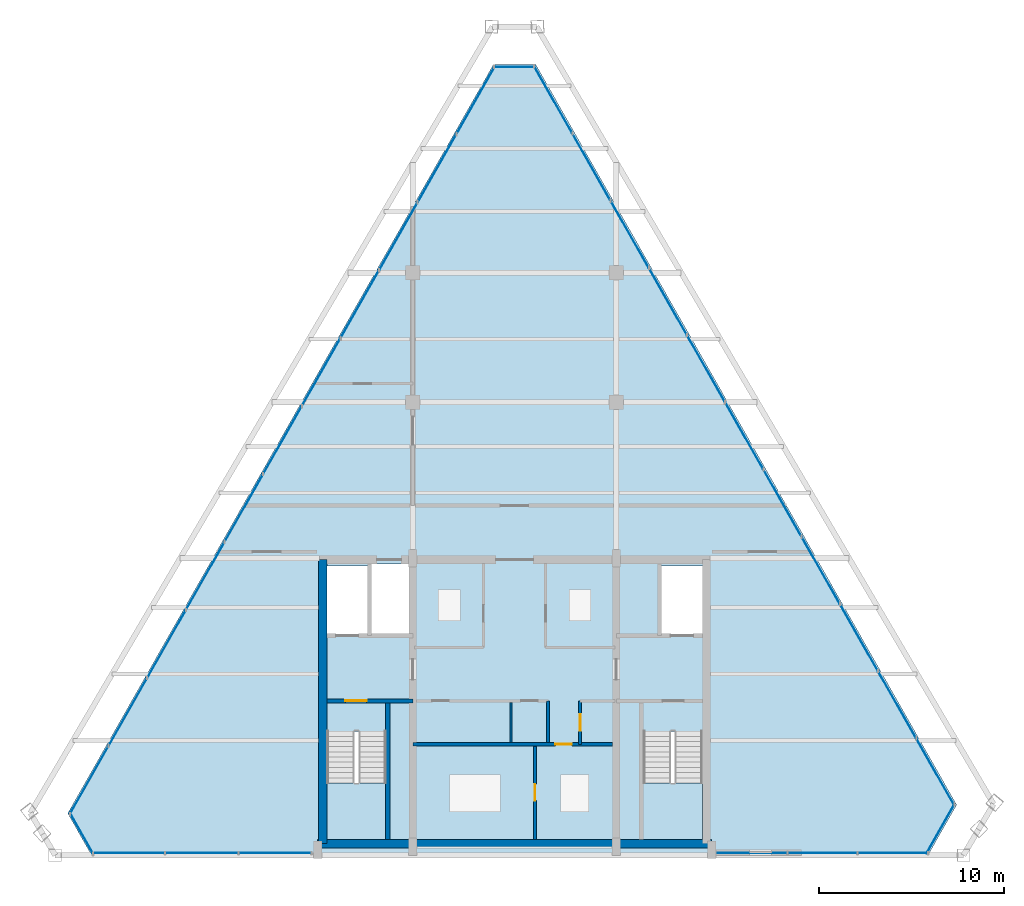
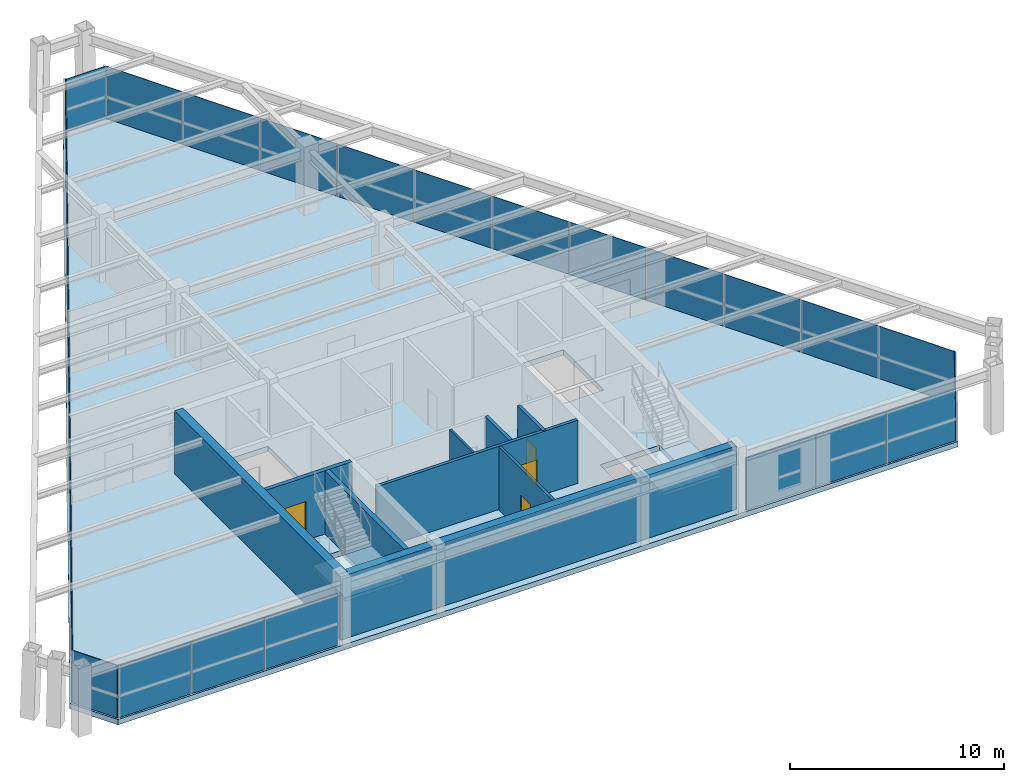
# One storey, part 9 of 12: 31 plates, 9 walls, 4 doors, 3 slabs, 4 openings, 9 elements without a shape of their own.
"""IFC4 building model written with IfcOpenShell, lengths in metres."""

from ifc_helpers import new_model, si_unit, direction, frame, frame_2d, origin, origin_2d, place, context, subcontext, project, spatial, polyline, rectangle, outline, extrude, source, transform, mapped, material, layer, layer_set, type_object, type_shapes, element, fill, aggregate, save


model = new_model("IFC4")

# Units and contexts
model_context = context("Model", 3, precision=1e-05, world=origin(), true_north=direction((0.0, 1.0)))
body_context = subcontext(model_context, "Body", "Model", "MODEL_VIEW")
ifc_project = project(units=[si_unit("LENGTHUNIT", "METRE"), si_unit("AREAUNIT", "SQUARE_METRE"), si_unit("VOLUMEUNIT", "CUBIC_METRE"), si_unit("PLANEANGLEUNIT", "RADIAN"), si_unit("MASSUNIT", "GRAM", prefix="KILO")], contexts=[model_context])

# Site, building, storey
site_placement = place(None, origin())
site = spatial("IfcSite", under=ifc_project, at=site_placement, CompositionType="ELEMENT")
building_placement = place(site_placement, origin())
building = spatial("IfcBuilding", under=site, at=building_placement, Name="Varnakhor Terracotta Tower", CompositionType="ELEMENT")
storey_placement = place(building_placement, frame((0.0, 0.0, 309.699951171875)))
storey = spatial("IfcBuildingStorey", under=building, at=storey_placement, Name="L81 Crown", CompositionType="ELEMENT", Elevation=309.699951171875)

# Stair, slab
ifc_material_1 = material(Name="Concrete C40/50", Category="concrete")
stair_type = type_object("IfcStairType", Name="STR-CORE-HOTEL-1500", PredefinedType="HALF_TURN_STAIR", material=ifc_material_1)
stair_1_placement = place(storey_placement, origin())
stair_1 = element("IfcStair", 1, at=stair_1_placement, inside=storey, type_object=stair_type, Name="L81 Crown Core Exit Stair ST-1", PredefinedType="HALF_TURN_STAIR")
ifc_layer_1 = layer(ifc_material_1, 0.179931640625, Name="Concrete C40/50")
ifc_layer_set_1 = layer_set([ifc_layer_1], Name="Concrete C40/50")
slab_type_1 = type_object("IfcSlabType", Name="SLB-LANDING-180", PredefinedType="LANDING", material=ifc_layer_set_1)
slab_1_placement = place(storey_placement, frame((0.0, 0.0, 1.75)))
slab_1 = element("IfcSlab", 2, at=slab_1_placement, type_object=slab_type_1, Name="ST-1 landing 1", PredefinedType="LANDING", context=body_context, shape_type="SweptSolid", body=[
    extrude(outline(polyline([(-10.14990234375, 3.909912109375), (-10.14990234375, 0.85009765625), (-6.949951171875, 0.85009765625), (-6.949951171875, 3.909912109375), (-10.14990234375, 3.909912109375)])), origin(), (0.0, 0.0, 1.0), 0.199951171875),
])
aggregate(stair_1, [slab_1])

stair_2_placement = place(storey_placement, origin())
stair_2 = element("IfcStair", 3, at=stair_2_placement, inside=storey, type_object=stair_type, Name="L81 Crown Core Exit Stair ST-2", PredefinedType="HALF_TURN_STAIR")
slab_2_placement = place(storey_placement, frame((0.0, 0.0, 1.75)))
slab_2 = element("IfcSlab", 4, at=slab_2_placement, type_object=slab_type_1, Name="ST-2 landing 1", PredefinedType="LANDING", context=body_context, shape_type="SweptSolid", body=[
    extrude(outline(polyline([(6.949951171875, 3.909912109375), (6.949951171875, 0.85009765625), (10.14990234375, 0.85009765625), (10.14990234375, 3.909912109375), (6.949951171875, 3.909912109375)])), origin(), (0.0, 0.0, 1.0), 0.199951171875),
])
aggregate(stair_2, [slab_2])

# Slab
ifc_layer_2 = layer(ifc_material_1, 0.300048828125, Name="Concrete C40/50")
ifc_layer_set_2 = layer_set([ifc_layer_2], Name="Concrete C40/50")
slab_type_2 = type_object("IfcSlabType", Name="SLB-PLANT-300", PredefinedType="FLOOR", material=ifc_layer_set_2)
slab_3_placement = place(storey_placement, frame((0.0, 0.0, -0.300048828125)))
element("IfcSlab", 5, at=slab_3_placement, inside=storey, type_object=slab_type_2, Name="L81 Crown Structural Floor Slab", PredefinedType="FLOOR", context=body_context, shape_type="SweptSolid", body=[
    extrude(outline(polyline([(-1.14990234375, 42.73681640625), (1.14990234375, 42.73681640625), (23.89599609375, 2.7255859375), (22.3466796875, 0.0), (-22.869873046875, 0.0), (-24.15771484375, 2.265380859375), (-1.14990234375, 42.73681640625)]), holes=[polyline([(-6.949951171875, 6.695068359375), (-10.14990234375, 6.695068359375), (-10.14990234375, 0.85009765625), (-6.949951171875, 0.85009765625), (-6.949951171875, 6.695068359375)]), polyline([(10.14990234375, 6.695068359375), (6.949951171875, 6.695068359375), (6.949951171875, 0.85009765625), (10.14990234375, 0.85009765625), (10.14990234375, 6.695068359375)]), polyline([(-7.949951171875, 15.64990234375), (-10.14990234375, 15.64990234375), (-10.14990234375, 11.8798828125), (-7.949951171875, 11.8798828125), (-7.949951171875, 15.64990234375)]), polyline([(10.14990234375, 11.8798828125), (10.14990234375, 15.64990234375), (7.949951171875, 15.64990234375), (7.949951171875, 11.8798828125), (10.14990234375, 11.8798828125)]), polyline([(-5.699951171875, 11.8798828125), (-5.699951171875, 15.75), (-7.72998046875, 15.75), (-7.72998046875, 11.8798828125), (-5.699951171875, 11.8798828125)])]), origin(), (0.0, 0.0, 1.0), 0.300048828125),
])

# Curtain wall, plates
ifc_material_2 = material(Name="Anodised Aluminium Curtain Wall System", Category="aluminium")
curtain_wall_type = type_object("IfcCurtainWallType", Name="CW-SYS-CROWN", PredefinedType="NOTDEFINED", material=ifc_material_2)
curtain_wall_1_placement = place(storey_placement, origin())
curtain_wall_1 = element("IfcCurtainWall", 6, at=curtain_wall_1_placement, inside=storey, type_object=curtain_wall_type, Name="L81 Crown Facet Curtain Wall 1", PredefinedType="NOTDEFINED")
ifc_material_3 = material(Name="Solar-Control Low-E Insulated Glass Panel", Category="glass")
ifc_layer_3 = layer(ifc_material_3, 0.0400390625, Name="Solar-Control Low-E Insulated Glass Panel")
ifc_layer_set_3 = layer_set([ifc_layer_3], Name="Solar-Control Low-E Insulated Glass Panel")
plate_type = type_object("IfcPlateType", Name="CWP-06", PredefinedType="CURTAIN_PANEL", material=ifc_layer_set_3)
shared_shape_1 = source(origin(), body_context, "Body", "SweptSolid", [
    extrude(rectangle(XDim=4.186767578125, YDim=0.035888671875, at=origin_2d()), origin(), (0.0, 0.0, 1.0), 2.97998046875),
])
type_shapes(plate_type, [shared_shape_1])
plate_1_placement = place(storey_placement, frame((-22.994140625, 4.0693359375, 0.0), z_axis=(0.0, 0.0, 1.0), x_axis=(0.494215002093, 0.869339710186, 0.0)))
plate_1 = element("IfcPlate", 7, at=plate_1_placement, type_object=plate_type, Name="L81 Crown Facet Curtain Wall 1 Glazed Panel 1", PredefinedType="CURTAIN_PANEL", context=body_context, shape_type="MappedRepresentation", body=[
    mapped(shared_shape_1, transform((0.0, 0.0, 0.0), scale=1.0)),
])
plate_2_placement = place(storey_placement, frame((-20.905029296875, 7.743896484375, 0.0), z_axis=(0.0, 0.0, 1.0), x_axis=(0.494215002093, 0.869339710186, 0.0)))
plate_2 = element("IfcPlate", 8, at=plate_2_placement, type_object=plate_type, Name="L81 Crown Facet Curtain Wall 1 Glazed Panel 2", PredefinedType="CURTAIN_PANEL", context=body_context, shape_type="MappedRepresentation", body=[
    mapped(shared_shape_1, transform((0.0, 0.0, 0.0), scale=1.0)),
])
plate_3_placement = place(storey_placement, frame((-18.81640625, 11.418212890625, 0.0), z_axis=(0.0, 0.0, 1.0), x_axis=(0.494215002093, 0.869339710186, 0.0)))
plate_3 = element("IfcPlate", 9, at=plate_3_placement, type_object=plate_type, Name="L81 Crown Facet Curtain Wall 1 Glazed Panel 3", PredefinedType="CURTAIN_PANEL", context=body_context, shape_type="MappedRepresentation", body=[
    mapped(shared_shape_1, transform((0.0, 0.0, 0.0), scale=1.0)),
])
plate_4_placement = place(storey_placement, frame((-16.727294921875, 15.0927734375, 0.0), z_axis=(0.0, 0.0, 1.0), x_axis=(0.494215002093, 0.869339710186, 0.0)))
plate_4 = element("IfcPlate", 10, at=plate_4_placement, type_object=plate_type, Name="L81 Crown Facet Curtain Wall 1 Glazed Panel 4", PredefinedType="CURTAIN_PANEL", context=body_context, shape_type="MappedRepresentation", body=[
    mapped(shared_shape_1, transform((0.0, 0.0, 0.0), scale=1.0)),
])
plate_5_placement = place(storey_placement, frame((-14.63818359375, 18.767333984375, 0.0), z_axis=(0.0, 0.0, 1.0), x_axis=(0.494215002093, 0.869339710186, 0.0)))
plate_5 = element("IfcPlate", 11, at=plate_5_placement, type_object=plate_type, Name="L81 Crown Facet Curtain Wall 1 Glazed Panel 5", PredefinedType="CURTAIN_PANEL", context=body_context, shape_type="MappedRepresentation", body=[
    mapped(shared_shape_1, transform((0.0, 0.0, 0.0), scale=1.0)),
])
plate_6_placement = place(storey_placement, frame((-12.549560546875, 22.441650390625, 0.0), z_axis=(0.0, 0.0, 1.0), x_axis=(0.494215002093, 0.869339710186, 0.0)))
plate_6 = element("IfcPlate", 12, at=plate_6_placement, type_object=plate_type, Name="L81 Crown Facet Curtain Wall 1 Glazed Panel 6", PredefinedType="CURTAIN_PANEL", context=body_context, shape_type="MappedRepresentation", body=[
    mapped(shared_shape_1, transform((0.0, 0.0, 0.0), scale=1.0)),
])
plate_7_placement = place(storey_placement, frame((-10.46044921875, 26.1162109375, 0.0), z_axis=(0.0, 0.0, 1.0), x_axis=(0.494215002093, 0.869339710186, 0.0)))
plate_7 = element("IfcPlate", 13, at=plate_7_placement, type_object=plate_type, Name="L81 Crown Facet Curtain Wall 1 Glazed Panel 7", PredefinedType="CURTAIN_PANEL", context=body_context, shape_type="MappedRepresentation", body=[
    mapped(shared_shape_1, transform((0.0, 0.0, 0.0), scale=1.0)),
])
plate_8_placement = place(storey_placement, frame((-8.37158203125, 29.790771484375, 0.0), z_axis=(0.0, 0.0, 1.0), x_axis=(0.494215002093, 0.869339710186, 0.0)))
plate_8 = element("IfcPlate", 14, at=plate_8_placement, type_object=plate_type, Name="L81 Crown Facet Curtain Wall 1 Glazed Panel 8", PredefinedType="CURTAIN_PANEL", context=body_context, shape_type="MappedRepresentation", body=[
    mapped(shared_shape_1, transform((0.0, 0.0, 0.0), scale=1.0)),
])
plate_9_placement = place(storey_placement, frame((-6.28271484375, 33.465087890625, 0.0), z_axis=(0.0, 0.0, 1.0), x_axis=(0.494215002093, 0.869339710186, 0.0)))
plate_9 = element("IfcPlate", 15, at=plate_9_placement, type_object=plate_type, Name="L81 Crown Facet Curtain Wall 1 Glazed Panel 9", PredefinedType="CURTAIN_PANEL", context=body_context, shape_type="MappedRepresentation", body=[
    mapped(shared_shape_1, transform((0.0, 0.0, 0.0), scale=1.0)),
])
plate_10_placement = place(storey_placement, frame((-4.193603515625, 37.1396484375, 0.0), z_axis=(0.0, 0.0, 1.0), x_axis=(0.494215002093, 0.869339710186, 0.0)))
plate_10 = element("IfcPlate", 16, at=plate_10_placement, type_object=plate_type, Name="L81 Crown Facet Curtain Wall 1 Glazed Panel 10", PredefinedType="CURTAIN_PANEL", context=body_context, shape_type="MappedRepresentation", body=[
    mapped(shared_shape_1, transform((0.0, 0.0, 0.0), scale=1.0)),
])
plate_11_placement = place(storey_placement, frame((-2.104736328125, 40.814208984375, 0.0), z_axis=(0.0, 0.0, 1.0), x_axis=(0.494215002093, 0.869339710186, 0.0)))
plate_11 = element("IfcPlate", 17, at=plate_11_placement, type_object=plate_type, Name="L81 Crown Facet Curtain Wall 1 Glazed Panel 11", PredefinedType="CURTAIN_PANEL", context=body_context, shape_type="MappedRepresentation", body=[
    mapped(shared_shape_1, transform((0.0, 0.0, 0.0), scale=1.0)),
])
aggregate(curtain_wall_1, [plate_1, plate_2, plate_3, plate_4, plate_5, plate_6, plate_7, plate_8, plate_9, plate_10, plate_11])

# Curtain wall, plate
curtain_wall_2_placement = place(storey_placement, origin())
curtain_wall_2 = element("IfcCurtainWall", 18, at=curtain_wall_2_placement, inside=storey, type_object=curtain_wall_type, Name="L81 Crown Facet Curtain Wall 2", PredefinedType="NOTDEFINED")
shared_shape_2 = source(origin(), body_context, "Body", "SweptSolid", [
    extrude(rectangle(XDim=2.19970703125, YDim=0.035888671875, at=origin_2d()), origin(), (0.0, 0.0, 1.0), 2.97998046875),
])
plate_12_placement = place(storey_placement, frame((0.0, 42.61669921875, 0.0), z_axis=(0.0, 0.0, 1.0), x_axis=(1.0, 0.0, 0.0)))
plate_12 = element("IfcPlate", 19, at=plate_12_placement, type_object=plate_type, Name="L81 Crown Facet Curtain Wall 2 Glazed Panel 1", PredefinedType="CURTAIN_PANEL", context=body_context, shape_type="MappedRepresentation", body=[
    mapped(shared_shape_2, transform((0.0, 0.0, 0.0), scale=1.0)),
])
aggregate(curtain_wall_2, [plate_12])

# Curtain wall, plates
curtain_wall_3_placement = place(storey_placement, origin())
curtain_wall_3 = element("IfcCurtainWall", 20, at=curtain_wall_3_placement, inside=storey, type_object=curtain_wall_type, Name="L81 Crown Facet Curtain Wall 3", PredefinedType="NOTDEFINED")
shared_shape_3 = source(origin(), body_context, "Body", "SweptSolid", [
    extrude(rectangle(XDim=4.138671875, YDim=0.035888671875, at=origin_2d()), origin(), (0.0, 0.0, 1.0), 2.97998046875),
])
plate_13_placement = place(storey_placement, frame((2.093017578125, 40.835205078125, 0.0), z_axis=(0.0, 0.0, 1.0), x_axis=(0.494215002093, -0.869339710186, 0.0)))
plate_13 = element("IfcPlate", 21, at=plate_13_placement, type_object=plate_type, Name="L81 Crown Facet Curtain Wall 3 Glazed Panel 1", PredefinedType="CURTAIN_PANEL", context=body_context, shape_type="MappedRepresentation", body=[
    mapped(shared_shape_3, transform((0.0, 0.0, 0.0), scale=1.0)),
])
plate_14_placement = place(storey_placement, frame((4.158203125, 37.202392578125, 0.0), z_axis=(0.0, 0.0, 1.0), x_axis=(0.494215002093, -0.869339710186, 0.0)))
plate_14 = element("IfcPlate", 22, at=plate_14_placement, type_object=plate_type, Name="L81 Crown Facet Curtain Wall 3 Glazed Panel 2", PredefinedType="CURTAIN_PANEL", context=body_context, shape_type="MappedRepresentation", body=[
    mapped(shared_shape_3, transform((0.0, 0.0, 0.0), scale=1.0)),
])
plate_15_placement = place(storey_placement, frame((6.22314453125, 33.56982421875, 0.0), z_axis=(0.0, 0.0, 1.0), x_axis=(0.494215002093, -0.869339710186, 0.0)))
plate_15 = element("IfcPlate", 23, at=plate_15_placement, type_object=plate_type, Name="L81 Crown Facet Curtain Wall 3 Glazed Panel 3", PredefinedType="CURTAIN_PANEL", context=body_context, shape_type="MappedRepresentation", body=[
    mapped(shared_shape_3, transform((0.0, 0.0, 0.0), scale=1.0)),
])
plate_16_placement = place(storey_placement, frame((8.288330078125, 29.93701171875, 0.0), z_axis=(0.0, 0.0, 1.0), x_axis=(0.494215002093, -0.869339710186, 0.0)))
plate_16 = element("IfcPlate", 24, at=plate_16_placement, type_object=plate_type, Name="L81 Crown Facet Curtain Wall 3 Glazed Panel 4", PredefinedType="CURTAIN_PANEL", context=body_context, shape_type="MappedRepresentation", body=[
    mapped(shared_shape_3, transform((0.0, 0.0, 0.0), scale=1.0)),
])
plate_17_placement = place(storey_placement, frame((10.353515625, 26.304443359375, 0.0), z_axis=(0.0, 0.0, 1.0), x_axis=(0.494215002093, -0.869339710186, 0.0)))
plate_17 = element("IfcPlate", 25, at=plate_17_placement, type_object=plate_type, Name="L81 Crown Facet Curtain Wall 3 Glazed Panel 5", PredefinedType="CURTAIN_PANEL", context=body_context, shape_type="MappedRepresentation", body=[
    mapped(shared_shape_3, transform((0.0, 0.0, 0.0), scale=1.0)),
])
plate_18_placement = place(storey_placement, frame((12.418701171875, 22.671875, 0.0), z_axis=(0.0, 0.0, 1.0), x_axis=(0.494215002093, -0.869339710186, 0.0)))
plate_18 = element("IfcPlate", 26, at=plate_18_placement, type_object=plate_type, Name="L81 Crown Facet Curtain Wall 3 Glazed Panel 6", PredefinedType="CURTAIN_PANEL", context=body_context, shape_type="MappedRepresentation", body=[
    mapped(shared_shape_3, transform((0.0, 0.0, 0.0), scale=1.0)),
])
plate_19_placement = place(storey_placement, frame((14.48388671875, 19.039306640625, 0.0), z_axis=(0.0, 0.0, 1.0), x_axis=(0.494215002093, -0.869339710186, 0.0)))
plate_19 = element("IfcPlate", 27, at=plate_19_placement, type_object=plate_type, Name="L81 Crown Facet Curtain Wall 3 Glazed Panel 7", PredefinedType="CURTAIN_PANEL", context=body_context, shape_type="MappedRepresentation", body=[
    mapped(shared_shape_3, transform((0.0, 0.0, 0.0), scale=1.0)),
])
plate_20_placement = place(storey_placement, frame((16.548828125, 15.406494140625, 0.0), z_axis=(0.0, 0.0, 1.0), x_axis=(0.494215002093, -0.869339710186, 0.0)))
plate_20 = element("IfcPlate", 28, at=plate_20_placement, type_object=plate_type, Name="L81 Crown Facet Curtain Wall 3 Glazed Panel 8", PredefinedType="CURTAIN_PANEL", context=body_context, shape_type="MappedRepresentation", body=[
    mapped(shared_shape_3, transform((0.0, 0.0, 0.0), scale=1.0)),
])
plate_21_placement = place(storey_placement, frame((18.614013671875, 11.77392578125, 0.0), z_axis=(0.0, 0.0, 1.0), x_axis=(0.494215002093, -0.869339710186, 0.0)))
plate_21 = element("IfcPlate", 29, at=plate_21_placement, type_object=plate_type, Name="L81 Crown Facet Curtain Wall 3 Glazed Panel 9", PredefinedType="CURTAIN_PANEL", context=body_context, shape_type="MappedRepresentation", body=[
    mapped(shared_shape_3, transform((0.0, 0.0, 0.0), scale=1.0)),
])
plate_22_placement = place(storey_placement, frame((20.67919921875, 8.14111328125, 0.0), z_axis=(0.0, 0.0, 1.0), x_axis=(0.494215002093, -0.869339710186, 0.0)))
plate_22 = element("IfcPlate", 30, at=plate_22_placement, type_object=plate_type, Name="L81 Crown Facet Curtain Wall 3 Glazed Panel 10", PredefinedType="CURTAIN_PANEL", context=body_context, shape_type="MappedRepresentation", body=[
    mapped(shared_shape_3, transform((0.0, 0.0, 0.0), scale=1.0)),
])
plate_23_placement = place(storey_placement, frame((22.744384765625, 4.508544921875, 0.0), z_axis=(0.0, 0.0, 1.0), x_axis=(0.494215002093, -0.869339710186, 0.0)))
plate_23 = element("IfcPlate", 31, at=plate_23_placement, type_object=plate_type, Name="L81 Crown Facet Curtain Wall 3 Glazed Panel 11", PredefinedType="CURTAIN_PANEL", context=body_context, shape_type="MappedRepresentation", body=[
    mapped(shared_shape_3, transform((0.0, 0.0, 0.0), scale=1.0)),
])
aggregate(curtain_wall_3, [plate_13, plate_14, plate_15, plate_16, plate_17, plate_18, plate_19, plate_20, plate_21, plate_22, plate_23])

# Curtain wall, plate
curtain_wall_4_placement = place(storey_placement, origin())
curtain_wall_4 = element("IfcCurtainWall", 32, at=curtain_wall_4_placement, inside=storey, type_object=curtain_wall_type, Name="L81 Crown Facet Curtain Wall 4", PredefinedType="NOTDEFINED")
shared_shape_4 = source(origin(), body_context, "Body", "SweptSolid", [
    extrude(rectangle(XDim=3.03515625, YDim=0.035888671875, at=origin_2d()), origin(), (0.0, 0.0, 1.0), 2.97998046875),
])
plate_24_placement = place(storey_placement, frame((23.01708984375, 1.422119140625, 0.0), z_axis=(0.0, 0.0, 1.0), x_axis=(-0.494230174858, -0.869331084375, 0.0)))
plate_24 = element("IfcPlate", 33, at=plate_24_placement, type_object=plate_type, Name="L81 Crown Facet Curtain Wall 4 Glazed Panel 1", PredefinedType="CURTAIN_PANEL", context=body_context, shape_type="MappedRepresentation", body=[
    mapped(shared_shape_4, transform((0.0, 0.0, 0.0), scale=1.0)),
])
aggregate(curtain_wall_4, [plate_24])

# Curtain wall, plates
curtain_wall_5_placement = place(storey_placement, origin())
curtain_wall_5 = element("IfcCurtainWall", 34, at=curtain_wall_5_placement, inside=storey, type_object=curtain_wall_type, Name="L81 Crown South Wing Curtain Wall SSE", PredefinedType="NOTDEFINED")
shared_shape_5 = source(origin(), body_context, "Body", "SweptSolid", [
    extrude(rectangle(XDim=3.748779296875, YDim=0.035888671875, at=origin_2d()), origin(), (0.0, 0.0, 1.0), 2.97998046875),
])
plate_25_placement = place(storey_placement, frame((20.442138671875, 0.1201171875, 0.0), z_axis=(0.0, 0.0, 1.0), x_axis=(-1.0, 0.0, 0.0)))
plate_25 = element("IfcPlate", 35, at=plate_25_placement, type_object=plate_type, Name="L81 Crown South Wing Curtain Wall SSE Glazed Panel 1", PredefinedType="CURTAIN_PANEL", context=body_context, shape_type="MappedRepresentation", body=[
    mapped(shared_shape_5, transform((0.0, 0.0, 0.0), scale=1.0)),
])
plate_26_placement = place(storey_placement, frame((16.6533203125, 0.1201171875, 0.0), z_axis=(0.0, 0.0, 1.0), x_axis=(-1.0, 0.0, 0.0)))
plate_26 = element("IfcPlate", 36, at=plate_26_placement, type_object=plate_type, Name="L81 Crown South Wing Curtain Wall SSE Glazed Panel 2", PredefinedType="CURTAIN_PANEL", context=body_context, shape_type="MappedRepresentation", body=[
    mapped(shared_shape_5, transform((0.0, 0.0, 0.0), scale=1.0)),
])
plate_27_placement = place(storey_placement, frame((12.864501953125, 0.1201171875, 0.0), z_axis=(0.0, 0.0, 1.0), x_axis=(-1.0, 0.0, 0.0)))
plate_27 = element("IfcPlate", 37, at=plate_27_placement, type_object=plate_type, Name="L81 Crown South Wing Curtain Wall SSE Glazed Panel 3", PredefinedType="CURTAIN_PANEL", context=body_context, shape_type="MappedRepresentation", body=[
    mapped(shared_shape_5, transform((0.0, 0.0, 0.0), scale=1.0)),
])
aggregate(curtain_wall_5, [plate_25, plate_26, plate_27])

curtain_wall_6_placement = place(storey_placement, origin())
curtain_wall_6 = element("IfcCurtainWall", 38, at=curtain_wall_6_placement, inside=storey, type_object=curtain_wall_type, Name="L81 Crown South Wing Curtain Wall SSW", PredefinedType="NOTDEFINED")
shared_shape_6 = source(origin(), body_context, "Body", "SweptSolid", [
    extrude(rectangle(XDim=3.92333984375, YDim=0.035888671875, at=origin_2d()), origin(), (0.0, 0.0, 1.0), 2.97998046875),
])
plate_28_placement = place(storey_placement, frame((-12.95166015625, 0.1201171875, 0.0), z_axis=(0.0, 0.0, 1.0), x_axis=(-1.0, 0.0, 0.0)))
plate_28 = element("IfcPlate", 39, at=plate_28_placement, type_object=plate_type, Name="L81 Crown South Wing Curtain Wall SSW Glazed Panel 1", PredefinedType="CURTAIN_PANEL", context=body_context, shape_type="MappedRepresentation", body=[
    mapped(shared_shape_6, transform((0.0, 0.0, 0.0), scale=1.0)),
])
plate_29_placement = place(storey_placement, frame((-16.914794921875, 0.1201171875, 0.0), z_axis=(0.0, 0.0, 1.0), x_axis=(-1.0, 0.0, 0.0)))
plate_29 = element("IfcPlate", 40, at=plate_29_placement, type_object=plate_type, Name="L81 Crown South Wing Curtain Wall SSW Glazed Panel 2", PredefinedType="CURTAIN_PANEL", context=body_context, shape_type="MappedRepresentation", body=[
    mapped(shared_shape_6, transform((0.0, 0.0, 0.0), scale=1.0)),
])
plate_30_placement = place(storey_placement, frame((-20.87841796875, 0.1201171875, 0.0), z_axis=(0.0, 0.0, 1.0), x_axis=(-1.0, 0.0, 0.0)))
plate_30 = element("IfcPlate", 41, at=plate_30_placement, type_object=plate_type, Name="L81 Crown South Wing Curtain Wall SSW Glazed Panel 3", PredefinedType="CURTAIN_PANEL", context=body_context, shape_type="MappedRepresentation", body=[
    mapped(shared_shape_6, transform((0.0, 0.0, 0.0), scale=1.0)),
])
aggregate(curtain_wall_6, [plate_28, plate_29, plate_30])

# Curtain wall, plate
curtain_wall_7_placement = place(storey_placement, origin())
curtain_wall_7 = element("IfcCurtainWall", 42, at=curtain_wall_7_placement, inside=storey, type_object=curtain_wall_type, Name="L81 Crown Facet Curtain Wall 6", PredefinedType="NOTDEFINED")
shared_shape_7 = source(origin(), body_context, "Body", "SweptSolid", [
    extrude(rectangle(XDim=2.505859375, YDim=0.035888671875, at=origin_2d()), origin(), (0.0, 0.0, 1.0), 2.97998046875),
])
plate_31_placement = place(storey_placement, frame((-23.409423828125, 1.19189453125, 0.0), z_axis=(0.0, 0.0, 1.0), x_axis=(-0.494215002093, 0.869339710186, 0.0)))
plate_31 = element("IfcPlate", 43, at=plate_31_placement, type_object=plate_type, Name="L81 Crown Facet Curtain Wall 6 Glazed Panel 1", PredefinedType="CURTAIN_PANEL", context=body_context, shape_type="MappedRepresentation", body=[
    mapped(shared_shape_7, transform((0.0, 0.0, 0.0), scale=1.0)),
])
aggregate(curtain_wall_7, [plate_31])

# Walls
ifc_material_4 = material(Name="Concrete C50/60", Category="concrete")
ifc_layer_4 = layer(ifc_material_4, 0.449951171875, Name="Concrete C50/60")
ifc_layer_set_4 = layer_set([ifc_layer_4], Name="Concrete C50/60")
wall_type_1 = type_object("IfcWallType", Name="WAL-CORE-450", PredefinedType="SHEAR", material=ifc_layer_set_4)
wall_1_placement = place(storey_placement, frame((-10.64990234375, 0.625, 0.0), z_axis=(0.0, 0.0, 1.0), x_axis=(1.0, 0.0, 0.0)))
element("IfcWall", 44, at=wall_1_placement, inside=storey, type_object=wall_type_1, Name="L81 Crown South Core Shear Wall", PredefinedType="SHEAR", context=body_context, shape_type="SweptSolid", body=[
    extrude(rectangle(XDim=21.2998046875, YDim=0.449951171875, at=frame_2d((10.64990234375, 0.0))), origin(), (0.0, 0.0, 1.0), 3.60009765625),
])
wall_2_placement = place(storey_placement, frame((-10.375, 0.625, 0.0), z_axis=(0.0, 0.0, 1.0), x_axis=(0.0, 1.0, 0.0)))
element("IfcWall", 45, at=wall_2_placement, inside=storey, type_object=wall_type_1, Name="L81 Crown West Core Shear Wall", PredefinedType="SHEAR", context=body_context, shape_type="SweptSolid", body=[
    extrude(rectangle(XDim=15.35009765625, YDim=0.449951171875, at=frame_2d((7.675048828125, 0.0))), origin(), (0.0, 0.0, 1.0), 3.60009765625),
])

# Wall, opening, door
ifc_layer_5 = layer(ifc_material_1, 0.219970703125, Name="Concrete C40/50")
ifc_layer_set_5 = layer_set([ifc_layer_5], Name="Concrete C40/50")
wall_type_2 = type_object("IfcWallType", Name="WAL-FFLOBBY-220", PredefinedType="SOLIDWALL", material=ifc_layer_set_5)
wall_3_placement = place(storey_placement, frame((-5.5, 8.35009765625, 0.0), z_axis=(0.0, 0.0, 1.0), x_axis=(-1.0, 0.0, 0.0)))
wall_3 = element("IfcWall", 46, at=wall_3_placement, inside=storey, type_object=wall_type_2, Name="L81 Crown West Firefighting Lobby Stair Wall", PredefinedType="SOLIDWALL", context=body_context, shape_type="SweptSolid", body=[
    extrude(rectangle(XDim=4.64990234375, YDim=0.219970703125, at=frame_2d((2.324951171875, 0.0))), origin(), (0.0, 0.0, 1.0), 3.60009765625),
])
opening_1_placement = place(wall_3_placement, frame((2.5, 0.0, 0.0)))
opening_1 = element("IfcOpeningElement", 47, at=opening_1_placement, cuts=wall_3, Name="Opening DR-34", PredefinedType="OPENING", context=body_context, shape_type="SweptSolid", body=[
    extrude(rectangle(XDim=1.14990234375, YDim=2.199951171875, at=frame_2d((0.574951171875, 1.10009765625))), frame((0.0, 0.1201171875, 0.0), z_axis=(0.0, -1.0, 0.0), x_axis=(1.0, 0.0, 0.0)), (0.0, 0.0, 1.0), 0.239990234375),
])
ifc_material_5 = material(Name="Self-Closing Smoke-Sealed Steel Fire Door", Category="steel")
door_type_1 = type_object("IfcDoorType", Name="DR-STAIR-1150X2200", OperationType="NOTDEFINED", PredefinedType="DOOR", material=ifc_material_5)
shared_shape_8 = source(origin(), body_context, "Body", "SweptSolid", [
    extrude(rectangle(XDim=1.14990234375, YDim=2.199951171875, at=frame_2d((0.574951171875, 1.10009765625))), frame((0.0, 0.02490234375, 0.0), z_axis=(0.0, -1.0, 0.0), x_axis=(1.0, 0.0, 0.0)), (0.0, 0.0, 1.0), 0.050048828125),
])
type_shapes(door_type_1, [shared_shape_8])
door_1_placement = place(opening_1_placement, origin())
door_1 = element("IfcDoor", 48, at=door_1_placement, inside=storey, type_object=door_type_1, Name="L81 Crown Exit Stair ST-1 Fire Door", OperationType="SINGLE_SWING_RIGHT", OverallHeight=2.199951171875, OverallWidth=1.14990234375, PredefinedType="DOOR", context=body_context, shape_type="MappedRepresentation", body=[
    mapped(shared_shape_8, transform((0.0, 0.0, 0.0), scale=1.0)),
])
fill(opening_1, door_1)

# Walls
ifc_layer_6 = layer(ifc_material_1, 0.25, Name="Concrete C40/50")
ifc_layer_set_6 = layer_set([ifc_layer_6], Name="Concrete C40/50")
wall_type_3 = type_object("IfcWallType", Name="WAL-SHAFT-250", PredefinedType="SOLIDWALL", material=ifc_layer_set_6)
wall_4_placement = place(storey_placement, frame((-6.85009765625, 0.85009765625, 0.0), z_axis=(0.0, 0.0, 1.0), x_axis=(0.0, 1.0, 0.0)))
element("IfcWall", 49, at=wall_4_placement, inside=storey, type_object=wall_type_3, Name="L81 Crown Stair ST-1 Bearing Shaft Wall", PredefinedType="SOLIDWALL", context=body_context, shape_type="SweptSolid", body=[
    extrude(rectangle(XDim=7.5, YDim=0.25, at=frame_2d((3.75, 0.0))), origin(), (0.0, 0.0, 1.0), 3.60009765625),
])
ifc_material_6 = material(Name="Acoustic Fire-Rated Partition", Category="gypsum")
ifc_layer_7 = layer(ifc_material_6, 0.114990234375, Name="Acoustic Fire-Rated Partition")
ifc_layer_set_7 = layer_set([ifc_layer_7], Name="Acoustic Fire-Rated Partition")
wall_type_4 = type_object("IfcWallType", Name="WAL-TENANCY-115", PredefinedType="PARTITIONING", material=ifc_layer_set_7)
wall_5_placement = place(storey_placement, frame((-0.199951171875, 6.10009765625, 0.0), z_axis=(0.0, 0.0, 1.0), x_axis=(0.0, 1.0, 0.0)))
element("IfcWall", 50, at=wall_5_placement, inside=storey, type_object=wall_type_4, Name="L81 Crown Reclaimed Mid-Core Split Wall", PredefinedType="PARTITIONING", context=body_context, shape_type="SweptSolid", body=[
    extrude(rectangle(XDim=2.14990234375, YDim=0.114990234375, at=frame_2d((1.074951171875, 0.0))), origin(), (0.0, 0.0, 1.0), 3.592041015625),
])

# Wall, opening, door
ifc_layer_8 = layer(ifc_material_6, 0.139892578125, Name="Acoustic Fire-Rated Partition")
ifc_layer_set_8 = layer_set([ifc_layer_8], Name="Acoustic Fire-Rated Partition")
wall_type_5 = type_object("IfcWallType", Name="WAL-TENANCY-140", PredefinedType="PARTITIONING", material=ifc_layer_set_8)
wall_6_placement = place(storey_placement, frame((1.10009765625, 0.85009765625, 0.0), z_axis=(0.0, 0.0, 1.0), x_axis=(0.0, 1.0, 0.0)))
wall_6 = element("IfcWall", 51, at=wall_6_placement, inside=storey, type_object=wall_type_5, Name="L81 Crown Reclaimed Core Bay Split Wall", PredefinedType="PARTITIONING", context=body_context, shape_type="SweptSolid", body=[
    extrude(rectangle(XDim=5.02978515625, YDim=0.139892578125, at=frame_2d((2.514892578125, 0.0))), origin(), (0.0, 0.0, 1.0), 3.592041015625),
])
opening_2_placement = place(wall_6_placement, frame((2.10009765625, 0.0, 0.0)))
opening_2 = element("IfcOpeningElement", 52, at=opening_2_placement, cuts=wall_6, Name="Opening DR-67", PredefinedType="OPENING", context=body_context, shape_type="SweptSolid", body=[
    extrude(rectangle(XDim=0.89990234375, YDim=2.10009765625, at=frame_2d((0.449951171875, 1.050048828125))), frame((0.0, 0.080078125, 0.0), z_axis=(0.0, -1.0, 0.0), x_axis=(1.0, 0.0, 0.0)), (0.0, 0.0, 1.0), 0.159912109375),
])
ifc_material_7 = material(Name="Steel Service Riser Fire Door", Category="steel")
door_type_2 = type_object("IfcDoorType", Name="DR-RISER-900X2100", OperationType="NOTDEFINED", PredefinedType="DOOR", material=ifc_material_7)
shared_shape_9 = source(origin(), body_context, "Body", "SweptSolid", [
    extrude(rectangle(XDim=0.89990234375, YDim=2.10009765625, at=frame_2d((0.449951171875, 1.050048828125))), frame((0.0, 0.02490234375, 0.0), z_axis=(0.0, -1.0, 0.0), x_axis=(1.0, 0.0, 0.0)), (0.0, 0.0, 1.0), 0.050048828125),
])
type_shapes(door_type_2, [shared_shape_9])
door_2_placement = place(opening_2_placement, origin())
door_2 = element("IfcDoor", 53, at=door_2_placement, inside=storey, type_object=door_type_2, Name="L81 Crown Core Inner Service Door", OperationType="SINGLE_SWING_LEFT", OverallHeight=2.10009765625, OverallWidth=0.89990234375, PredefinedType="DOOR", context=body_context, shape_type="MappedRepresentation", body=[
    mapped(shared_shape_9, transform((0.0, 0.0, 0.0), scale=1.0)),
])
fill(opening_2, door_2)

ifc_layer_9 = layer(ifc_material_6, 0.1650390625, Name="Acoustic Fire-Rated Partition")
ifc_layer_set_9 = layer_set([ifc_layer_9], Name="Acoustic Fire-Rated Partition")
wall_type_6 = type_object("IfcWallType", Name="WAL-TENANCY-165", PredefinedType="PARTITIONING", material=ifc_layer_set_9)
wall_7_placement = place(storey_placement, frame((-5.5, 6.0, 0.0), z_axis=(0.0, 0.0, 1.0), x_axis=(1.0, 0.0, 0.0)))
wall_7 = element("IfcWall", 54, at=wall_7_placement, inside=storey, type_object=wall_type_6, Name="L81 Crown Reclaimed Core Bay North Rated Wall", PredefinedType="PARTITIONING", context=body_context, shape_type="SweptSolid", body=[
    extrude(rectangle(XDim=10.800048828125, YDim=0.1650390625, at=frame_2d((5.39990234375, 0.0))), origin(), (0.0, 0.0, 1.0), 3.592041015625),
])
opening_3_placement = place(wall_7_placement, frame((7.699951171875, 0.0, 0.0)))
opening_3 = element("IfcOpeningElement", 55, at=opening_3_placement, cuts=wall_7, Name="Opening DR-67", PredefinedType="OPENING", context=body_context, shape_type="SweptSolid", body=[
    extrude(rectangle(XDim=0.89990234375, YDim=2.10009765625, at=frame_2d((0.449951171875, 1.050048828125))), frame((0.0, 0.092529296875, 0.0), z_axis=(0.0, -1.0, 0.0), x_axis=(1.0, 0.0, 0.0)), (0.0, 0.0, 1.0), 0.18505859375),
])
door_3_placement = place(opening_3_placement, origin())
door_3 = element("IfcDoor", 56, at=door_3_placement, inside=storey, type_object=door_type_2, Name="L81 Crown Core Reclaimed Suite Door", OperationType="SINGLE_SWING_RIGHT", OverallHeight=2.10009765625, OverallWidth=0.89990234375, PredefinedType="DOOR", context=body_context, shape_type="MappedRepresentation", body=[
    mapped(shared_shape_9, transform((0.0, 0.0, 0.0), scale=1.0)),
])
fill(opening_3, door_3)

wall_8_placement = place(storey_placement, frame((3.5400390625, 6.0, 0.0), z_axis=(0.0, 0.0, 1.0), x_axis=(0.0, 1.0, 0.0)))
wall_8 = element("IfcWall", 57, at=wall_8_placement, inside=storey, type_object=wall_type_6, Name="L81 Crown Accessible WC Rated Wall", PredefinedType="PARTITIONING", context=body_context, shape_type="SweptSolid", body=[
    extrude(rectangle(XDim=2.340087890625, YDim=0.1650390625, at=frame_2d((1.169921875, 0.0))), origin(), (0.0, 0.0, 1.0), 3.592041015625),
])
opening_4_placement = place(wall_8_placement, frame((0.719970703125, 0.0, 0.0)))
opening_4 = element("IfcOpeningElement", 58, at=opening_4_placement, cuts=wall_8, Name="Opening DR-67", PredefinedType="OPENING", context=body_context, shape_type="SweptSolid", body=[
    extrude(rectangle(XDim=0.89990234375, YDim=2.10009765625, at=frame_2d((0.449951171875, 1.050048828125))), frame((0.0, 0.092529296875, 0.0), z_axis=(0.0, -1.0, 0.0), x_axis=(1.0, 0.0, 0.0)), (0.0, 0.0, 1.0), 0.18505859375),
])
door_4_placement = place(opening_4_placement, origin())
door_4 = element("IfcDoor", 59, at=door_4_placement, inside=storey, type_object=door_type_2, Name="L81 Crown Accessible WC Door", OperationType="SINGLE_SWING_RIGHT", OverallHeight=2.10009765625, OverallWidth=0.89990234375, PredefinedType="DOOR", context=body_context, shape_type="MappedRepresentation", body=[
    mapped(shared_shape_9, transform((0.0, 0.0, 0.0), scale=1.0)),
])
fill(opening_4, door_4)

# Wall
wall_9_placement = place(storey_placement, frame((1.800048828125, 6.10009765625, 0.0), z_axis=(0.0, 0.0, 1.0), x_axis=(0.0, 1.0, 0.0)))
element("IfcWall", 60, at=wall_9_placement, inside=storey, type_object=wall_type_6, Name="L81 Crown Reclaimed Mid-Core East Wall", PredefinedType="PARTITIONING", context=body_context, shape_type="SweptSolid", body=[
    extrude(rectangle(XDim=2.25, YDim=0.1650390625, at=frame_2d((1.125, 0.0))), origin(), (0.0, 0.0, 1.0), 3.592041015625),
])

save(model, "model.ifc")
